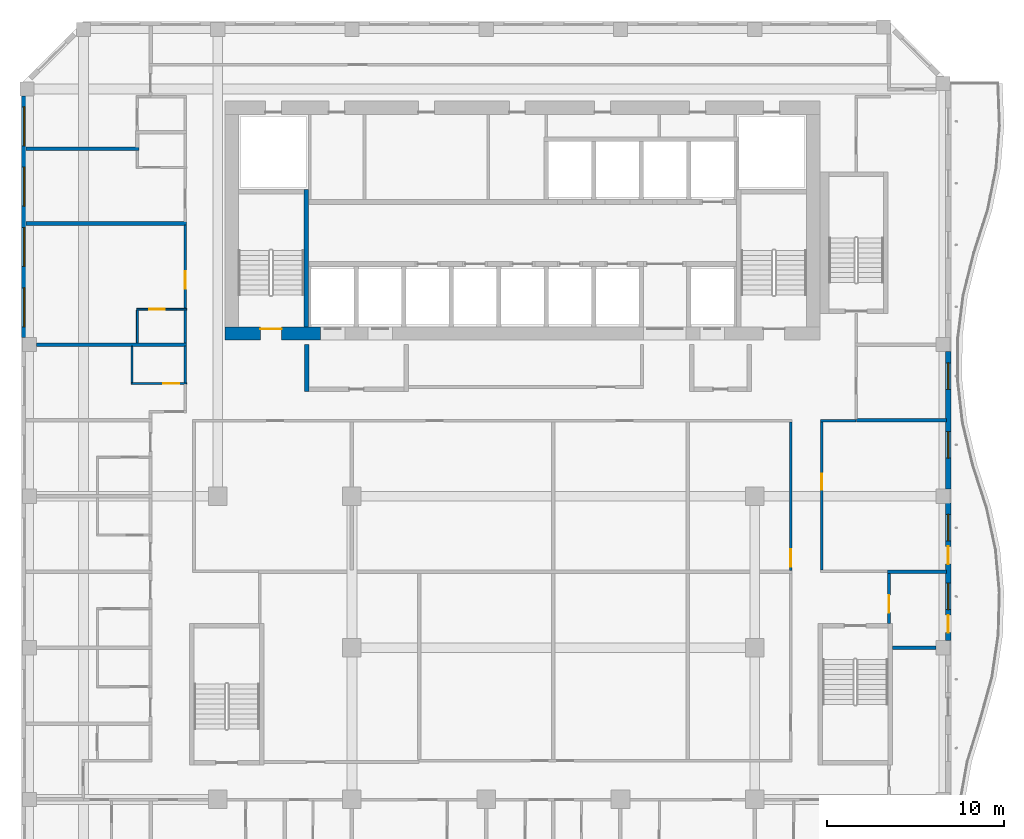
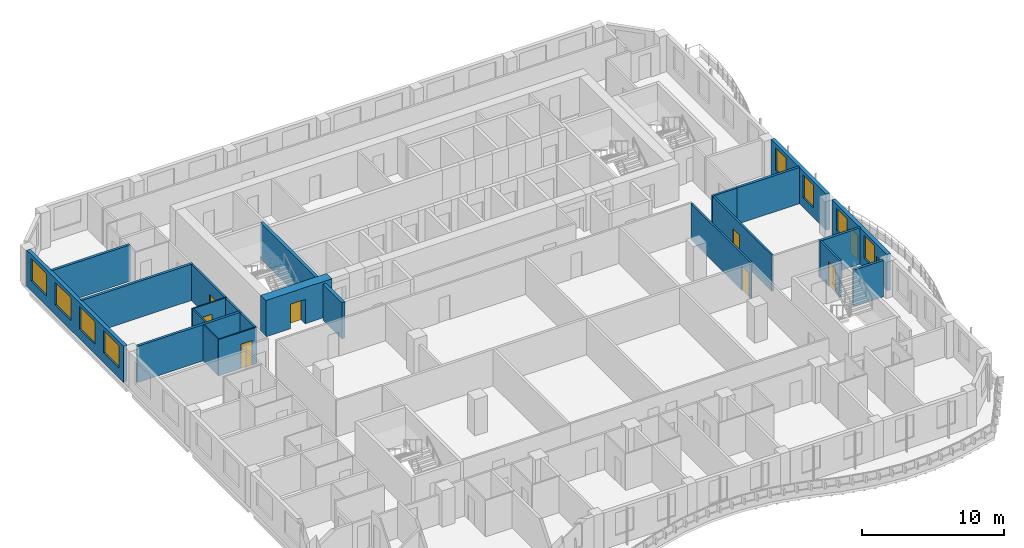
# One storey, part 6 of 21: 23 walls, 9 doors, 8 windows, 17 openings.
"""IFC4 building model written with IfcOpenShell, lengths in metres."""

from ifc_helpers import new_model, si_unit, direction, frame, frame_2d, origin, place, context, subcontext, project, spatial, rectangle, extrude, source, transform, mapped, material, layer, layer_set, type_object, element, fill, save


model = new_model("IFC4")

# Units and contexts
model_context = context("Model", 3, precision=1e-05, world=origin(), true_north=direction((0.0, 1.0)))
body_context = subcontext(model_context, "Body", "Model", "MODEL_VIEW")
ifc_project = project(units=[si_unit("LENGTHUNIT", "METRE"), si_unit("AREAUNIT", "SQUARE_METRE"), si_unit("VOLUMEUNIT", "CUBIC_METRE"), si_unit("PLANEANGLEUNIT", "RADIAN"), si_unit("MASSUNIT", "GRAM", prefix="KILO")], contexts=[model_context])

# Site, building, storey
site_placement = place(None, origin())
site = spatial("IfcSite", under=ifc_project, at=site_placement, CompositionType="ELEMENT")
building_placement = place(site_placement, origin())
building = spatial("IfcBuilding", under=site, at=building_placement, Name="Kilnfold Tower and Market Hall", CompositionType="ELEMENT")
storey_placement = place(building_placement, frame((0.0, 0.0, 185.5)))
storey = spatial("IfcBuildingStorey", under=building, at=storey_placement, Name="L44", CompositionType="ELEMENT", Elevation=185.5)

# Wall
ifc_material_1 = material(Name="Gypsum board on steel studs", Category="steel")
ifc_layer_1 = layer(ifc_material_1, 0.14990234375)
ifc_layer_set_1 = layer_set([ifc_layer_1], Name="Gypsum board on steel studs")
wall_type_1 = type_object("IfcWallType", Name="WALL CORRIDOR 150", PredefinedType="PARTITIONING", material=ifc_layer_set_1)
wall_1_placement = place(storey_placement, frame((-18.0, 5.840087890625, 0.0), z_axis=(0.0, 0.0, 1.0), x_axis=(0.0, 1.0, 0.0)))
element("IfcWall", 1, at=wall_1_placement, inside=storey, type_object=wall_type_1, Name="Partition LY27.21", PredefinedType="PARTITIONING", context=body_context, shape_type="SweptSolid", body=[
    extrude(rectangle(XDim=2.06982421875, YDim=0.14990234375, at=frame_2d((1.034912109375, 0.0))), origin(), (0.0, 0.0, 1.0), 3.1201171875),
])

# Wall, opening, door
wall_2_placement = place(storey_placement, frame((-18.0, 10.0400390625, 0.0), z_axis=(0.0, 0.0, 1.0), x_axis=(0.0, 1.0, 0.0)))
wall_2 = element("IfcWall", 2, at=wall_2_placement, inside=storey, type_object=wall_type_1, Name="Partition LY27.22", PredefinedType="PARTITIONING", context=body_context, shape_type="SweptSolid", body=[
    extrude(rectangle(XDim=4.70703125, YDim=0.14990234375, at=frame_2d((2.353515625, 0.0))), origin(), (0.0, 0.0, 1.0), 3.1201171875),
])
opening_1_placement = place(wall_2_placement, frame((1.10205078125, 0.0, 0.0)))
opening_1 = element("IfcOpeningElement", 3, at=opening_1_placement, cuts=wall_2, Name="Opening D1", PredefinedType="OPENING", context=body_context, shape_type="SweptSolid", body=[
    extrude(rectangle(XDim=1.0, YDim=2.10009765625, at=frame_2d((0.5, 1.050048828125))), frame((0.0, 0.0849609375, 0.0), z_axis=(0.0, -1.0, 0.0), x_axis=(1.0, 0.0, 0.0)), (0.0, 0.0, 1.0), 0.169921875),
])
ifc_material_2 = material(Name="Timber veneer door leaf in steel frame", Category="steel")
door_type_1 = type_object("IfcDoorType", Name="DOOR ENTRY 1000 X2100", OperationType="NOTDEFINED", PredefinedType="DOOR", material=ifc_material_2)
door_1_placement = place(opening_1_placement, origin())
door_1 = element("IfcDoor", 4, at=door_1_placement, inside=storey, type_object=door_type_1, Name="Door D1", OperationType="SINGLE_SWING_LEFT", OverallHeight=2.10009765625, OverallWidth=1.0, PredefinedType="DOOR", context=body_context, shape_type="SweptSolid", body=[
    extrude(rectangle(XDim=1.0, YDim=2.10009765625, at=frame_2d((0.5, 1.050048828125))), frame((0.0, 0.02490234375, 0.0), z_axis=(0.0, -1.0, 0.0), x_axis=(1.0, 0.0, 0.0)), (0.0, 0.0, 1.0), 0.050048828125),
])
fill(opening_1, door_1)

# Walls
wall_3_placement = place(storey_placement, frame((-18.0, 8.090087890625, 0.0), z_axis=(0.0, 0.0, 1.0), x_axis=(0.0, 1.0, 0.0)))
element("IfcWall", 5, at=wall_3_placement, inside=storey, type_object=wall_type_1, Name="Partition LY27.23", PredefinedType="PARTITIONING", context=body_context, shape_type="SweptSolid", body=[
    extrude(rectangle(XDim=1.869873046875, YDim=0.14990234375, at=frame_2d((0.93505859375, 0.0))), origin(), (0.0, 0.0, 1.0), 3.1201171875),
])
wall_4_placement = place(storey_placement, frame((17.884033203125, 3.699951171875, 0.0), z_axis=(0.0, 0.0, 1.0), x_axis=(1.0, 0.0, 0.0)))
element("IfcWall", 6, at=wall_4_placement, inside=storey, type_object=wall_type_1, Name="Partition LY27.34", PredefinedType="PARTITIONING", context=body_context, shape_type="SweptSolid", body=[
    extrude(rectangle(XDim=2.015869140625, YDim=0.14990234375, at=frame_2d((1.0078125, 0.0))), origin(), (0.0, 0.0, 1.0), 3.1201171875),
])

# Wall, opening, door
wall_5_placement = place(storey_placement, frame((17.958984375, -4.72509765625, 0.0), z_axis=(0.0, 0.0, 1.0), x_axis=(0.0, 1.0, 0.0)))
wall_5 = element("IfcWall", 7, at=wall_5_placement, inside=storey, type_object=wall_type_1, Name="Partition LY27.35", PredefinedType="PARTITIONING", context=body_context, shape_type="SweptSolid", body=[
    extrude(rectangle(XDim=8.35009765625, YDim=0.14990234375, at=frame_2d((4.175048828125, 0.0))), origin(), (0.0, 0.0, 1.0), 3.1201171875),
])
opening_2_placement = place(wall_5_placement, frame((4.531005859375, 0.0, 0.0)))
opening_2 = element("IfcOpeningElement", 8, at=opening_2_placement, cuts=wall_5, Name="Opening D2", PredefinedType="OPENING", context=body_context, shape_type="SweptSolid", body=[
    extrude(rectangle(XDim=0.89990234375, YDim=2.10009765625, at=frame_2d((0.449951171875, 1.050048828125))), frame((0.0, 0.0849609375, 0.0), z_axis=(0.0, -1.0, 0.0), x_axis=(1.0, 0.0, 0.0)), (0.0, 0.0, 1.0), 0.169921875),
])
ifc_material_3 = material(Name="Timber veneer door leaf in steel frame", Category="steel")
door_type_2 = type_object("IfcDoorType", Name="DOOR ROOM 900 X2100", OperationType="NOTDEFINED", PredefinedType="DOOR", material=ifc_material_3)
door_2_placement = place(opening_2_placement, origin())
door_2 = element("IfcDoor", 9, at=door_2_placement, inside=storey, type_object=door_type_2, Name="Door D2", OperationType="SINGLE_SWING_RIGHT", OverallHeight=2.10009765625, OverallWidth=0.89990234375, PredefinedType="DOOR", context=body_context, shape_type="SweptSolid", body=[
    extrude(rectangle(XDim=0.89990234375, YDim=2.10009765625, at=frame_2d((0.449951171875, 1.050048828125))), frame((0.0, 0.02490234375, 0.0), z_axis=(0.0, -1.0, 0.0), x_axis=(1.0, 0.0, 0.0)), (0.0, 0.0, 1.0), 0.050048828125),
])
fill(opening_2, door_2)

wall_6_placement = place(storey_placement, frame((21.75, -7.75, 0.0), z_axis=(0.0, 0.0, 1.0), x_axis=(0.0, 1.0, 0.0)))
wall_6 = element("IfcWall", 10, at=wall_6_placement, inside=storey, type_object=wall_type_1, Name="Partition LY27.37", PredefinedType="PARTITIONING", context=body_context, shape_type="SweptSolid", body=[
    extrude(rectangle(XDim=2.81689453125, YDim=0.14990234375, at=frame_2d((1.408447265625, 0.0))), origin(), (0.0, 0.0, 1.0), 3.1201171875),
])
opening_3_placement = place(wall_6_placement, frame((0.60498046875, 0.0, 0.0)))
opening_3 = element("IfcOpeningElement", 11, at=opening_3_placement, cuts=wall_6, Name="Opening D4", PredefinedType="OPENING", context=body_context, shape_type="SweptSolid", body=[
    extrude(rectangle(XDim=1.0, YDim=2.10009765625, at=frame_2d((0.5, 1.050048828125))), frame((0.0, 0.0849609375, 0.0), z_axis=(0.0, -1.0, 0.0), x_axis=(1.0, 0.0, 0.0)), (0.0, 0.0, 1.0), 0.169921875),
])
ifc_material_4 = material(Name="Timber veneer door leaf in steel frame", Category="steel")
door_type_3 = type_object("IfcDoorType", Name="DOOR SERVICE 1000 X2100", OperationType="NOTDEFINED", PredefinedType="DOOR", material=ifc_material_4)
door_3_placement = place(opening_3_placement, origin())
door_3 = element("IfcDoor", 12, at=door_3_placement, inside=storey, type_object=door_type_3, Name="Door D4", OperationType="SINGLE_SWING_LEFT", OverallHeight=2.10009765625, OverallWidth=1.0, PredefinedType="DOOR", context=body_context, shape_type="SweptSolid", body=[
    extrude(rectangle(XDim=1.0, YDim=2.10009765625, at=frame_2d((0.5, 1.050048828125))), frame((0.0, 0.02490234375, 0.0), z_axis=(0.0, -1.0, 0.0), x_axis=(1.0, 0.0, 0.0)), (0.0, 0.0, 1.0), 0.050048828125),
])
fill(opening_3, door_3)

wall_7_placement = place(storey_placement, frame((16.199951171875, -4.7529296875, 0.0), z_axis=(0.0, 0.0, 1.0), x_axis=(0.0, 1.0, 0.0)))
wall_7 = element("IfcWall", 13, at=wall_7_placement, inside=storey, type_object=wall_type_1, Name="Partition LY27.45", PredefinedType="PARTITIONING", context=body_context, shape_type="SweptSolid", body=[
    extrude(rectangle(XDim=8.3779296875, YDim=0.14990234375, at=frame_2d((4.18896484375, 0.0))), origin(), (0.0, 0.0, 1.0), 3.1201171875),
])
opening_4_placement = place(wall_7_placement, frame((0.199951171875, 0.0, 0.0)))
opening_4 = element("IfcOpeningElement", 14, at=opening_4_placement, cuts=wall_7, Name="Opening D4", PredefinedType="OPENING", context=body_context, shape_type="SweptSolid", body=[
    extrude(rectangle(XDim=1.0, YDim=2.10009765625, at=frame_2d((0.5, 1.050048828125))), frame((0.0, 0.0849609375, 0.0), z_axis=(0.0, -1.0, 0.0), x_axis=(1.0, 0.0, 0.0)), (0.0, 0.0, 1.0), 0.169921875),
])
door_4_placement = place(opening_4_placement, origin())
door_4 = element("IfcDoor", 15, at=door_4_placement, inside=storey, type_object=door_type_3, Name="Door D4", OperationType="SINGLE_SWING_RIGHT", OverallHeight=2.10009765625, OverallWidth=1.0, PredefinedType="DOOR", context=body_context, shape_type="SweptSolid", body=[
    extrude(rectangle(XDim=1.0, YDim=2.10009765625, at=frame_2d((0.5, 1.050048828125))), frame((0.0, 0.02490234375, 0.0), z_axis=(0.0, -1.0, 0.0), x_axis=(1.0, 0.0, 0.0)), (0.0, 0.0, 1.0), 0.050048828125),
])
fill(opening_4, door_4)

ifc_material_5 = material(Name="Gypsum board on steel studs", Category="steel")
ifc_layer_2 = layer(ifc_material_5, 0.10009765625)
ifc_layer_set_2 = layer_set([ifc_layer_2], Name="Gypsum board on steel studs")
wall_type_2 = type_object("IfcWallType", Name="WALL PARTITION 100", PredefinedType="PARTITIONING", material=ifc_layer_set_2)
wall_8_placement = place(storey_placement, frame((-17.927001953125, 5.800048828125, 0.0), z_axis=(0.0, 0.0, 1.0), x_axis=(-1.0, 0.0, 0.0)))
wall_8 = element("IfcWall", 16, at=wall_8_placement, inside=storey, type_object=wall_type_2, Name="Partition LY27.97", PredefinedType="PARTITIONING", context=body_context, shape_type="SweptSolid", body=[
    extrude(rectangle(XDim=3.125, YDim=0.10009765625, at=frame_2d((1.5625, 0.0))), origin(), (0.0, 0.0, 1.0), 3.1201171875),
])
opening_5_placement = place(wall_8_placement, frame((0.403076171875, 0.0, 0.0)))
opening_5 = element("IfcOpeningElement", 17, at=opening_5_placement, cuts=wall_8, Name="Opening D3", PredefinedType="OPENING", context=body_context, shape_type="SweptSolid", body=[
    extrude(rectangle(XDim=0.89990234375, YDim=2.10009765625, at=frame_2d((0.449951171875, 1.050048828125))), frame((0.0, 0.06005859375, 0.0), z_axis=(0.0, -1.0, 0.0), x_axis=(1.0, 0.0, 0.0)), (0.0, 0.0, 1.0), 0.1201171875),
])
ifc_material_6 = material(Name="Timber veneer door leaf in steel frame", Category="steel")
door_type_4 = type_object("IfcDoorType", Name="DOOR WC 900 X2100", OperationType="NOTDEFINED", PredefinedType="DOOR", material=ifc_material_6)
door_5_placement = place(opening_5_placement, origin())
door_5 = element("IfcDoor", 18, at=door_5_placement, inside=storey, type_object=door_type_4, Name="Door D3", OperationType="SINGLE_SWING_LEFT", OverallHeight=2.10009765625, OverallWidth=0.89990234375, PredefinedType="DOOR", context=body_context, shape_type="SweptSolid", body=[
    extrude(rectangle(XDim=0.89990234375, YDim=2.10009765625, at=frame_2d((0.449951171875, 1.050048828125))), frame((0.0, 0.02490234375, 0.0), z_axis=(0.0, -1.0, 0.0), x_axis=(1.0, 0.0, 0.0)), (0.0, 0.0, 1.0), 0.050048828125),
])
fill(opening_5, door_5)

# Wall
wall_9_placement = place(storey_placement, frame((-21.001953125, 5.85009765625, 0.0), z_axis=(0.0, 0.0, 1.0), x_axis=(0.0, 1.0, 0.0)))
element("IfcWall", 19, at=wall_9_placement, inside=storey, type_object=wall_type_2, Name="Partition LY27.98", PredefinedType="PARTITIONING", context=body_context, shape_type="SweptSolid", body=[
    extrude(rectangle(XDim=2.0498046875, YDim=0.10009765625, at=frame_2d((1.02490234375, 0.0))), origin(), (0.0, 0.0, 1.0), 3.1201171875),
])

# Wall, opening, door
wall_10_placement = place(storey_placement, frame((-20.751953125, 10.0, 0.0), z_axis=(0.0, 0.0, 1.0), x_axis=(1.0, 0.0, 0.0)))
wall_10 = element("IfcWall", 20, at=wall_10_placement, inside=storey, type_object=wall_type_2, Name="Partition LY27.100", PredefinedType="PARTITIONING", context=body_context, shape_type="SweptSolid", body=[
    extrude(rectangle(XDim=2.824951171875, YDim=0.10009765625, at=frame_2d((1.41259765625, 0.0))), origin(), (0.0, 0.0, 1.0), 3.1201171875),
])
opening_6_placement = place(wall_10_placement, frame((0.7080078125, 0.0, 0.0)))
opening_6 = element("IfcOpeningElement", 21, at=opening_6_placement, cuts=wall_10, Name="Opening D3", PredefinedType="OPENING", context=body_context, shape_type="SweptSolid", body=[
    extrude(rectangle(XDim=0.89990234375, YDim=2.10009765625, at=frame_2d((0.449951171875, 1.050048828125))), frame((0.0, 0.06005859375, 0.0), z_axis=(0.0, -1.0, 0.0), x_axis=(1.0, 0.0, 0.0)), (0.0, 0.0, 1.0), 0.1201171875),
])
door_6_placement = place(opening_6_placement, origin())
door_6 = element("IfcDoor", 22, at=door_6_placement, inside=storey, type_object=door_type_4, Name="Door D3", OperationType="SINGLE_SWING_RIGHT", OverallHeight=2.10009765625, OverallWidth=0.89990234375, PredefinedType="DOOR", context=body_context, shape_type="SweptSolid", body=[
    extrude(rectangle(XDim=0.89990234375, YDim=2.10009765625, at=frame_2d((0.449951171875, 1.050048828125))), frame((0.0, 0.02490234375, 0.0), z_axis=(0.0, -1.0, 0.0), x_axis=(1.0, 0.0, 0.0)), (0.0, 0.0, 1.0), 0.050048828125),
])
fill(opening_6, door_6)

# Walls
wall_11_placement = place(storey_placement, frame((-20.701904296875, 8.10009765625, 0.0), z_axis=(0.0, 0.0, 1.0), x_axis=(0.0, 1.0, 0.0)))
element("IfcWall", 23, at=wall_11_placement, inside=storey, type_object=wall_type_2, Name="Partition LY27.101", PredefinedType="PARTITIONING", context=body_context, shape_type="SweptSolid", body=[
    extrude(rectangle(XDim=1.849853515625, YDim=0.10009765625, at=frame_2d((0.9248046875, 0.0))), origin(), (0.0, 0.0, 1.0), 3.1201171875),
])
ifc_material_7 = material(Name="Gypsum board on steel studs", Category="steel")
ifc_layer_3 = layer(ifc_material_7, 0.199951171875)
ifc_layer_set_3 = layer_set([ifc_layer_3], Name="Gypsum board on steel studs")
wall_type_3 = type_object("IfcWallType", Name="WALL PARTY 200", PredefinedType="PARTITIONING", material=ifc_layer_set_3)
wall_12_placement = place(storey_placement, frame((-26.39990234375, 8.0, 0.0), z_axis=(0.0, 0.0, 1.0), x_axis=(1.0, 0.0, 0.0)))
element("IfcWall", 24, at=wall_12_placement, inside=storey, type_object=wall_type_3, Name="Partition LY27.99", PredefinedType="PARTITIONING", context=body_context, shape_type="SweptSolid", body=[
    extrude(rectangle(XDim=8.472900390625, YDim=0.199951171875, at=frame_2d((4.236328125, 0.0))), origin(), (0.0, 0.0, 1.0), 3.1201171875),
])
wall_13_placement = place(storey_placement, frame((-17.927001953125, 14.8369140625, 0.0), z_axis=(0.0, 0.0, 1.0), x_axis=(-1.0, 0.0, 0.0)))
element("IfcWall", 25, at=wall_13_placement, inside=storey, type_object=wall_type_3, Name="Partition LY27.102", PredefinedType="PARTITIONING", context=body_context, shape_type="SweptSolid", body=[
    extrude(rectangle(XDim=9.072998046875, YDim=0.199951171875, at=frame_2d((4.53662109375, 0.0))), origin(), (0.0, 0.0, 1.0), 3.1201171875),
])
wall_14_placement = place(storey_placement, frame((-20.60205078125, 19.052978515625, 0.0), z_axis=(0.0, 0.0, 1.0), x_axis=(-1.0, 0.0, 0.0)))
element("IfcWall", 26, at=wall_14_placement, inside=storey, type_object=wall_type_3, Name="Partition LY27.105", PredefinedType="PARTITIONING", context=body_context, shape_type="SweptSolid", body=[
    extrude(rectangle(XDim=6.39794921875, YDim=0.199951171875, at=frame_2d((3.198974609375, 0.0))), origin(), (0.0, 0.0, 1.0), 3.1201171875),
])
wall_15_placement = place(storey_placement, frame((19.902099609375, 3.718994140625, 0.0), z_axis=(0.0, 0.0, 1.0), x_axis=(1.0, 0.0, 0.0)))
element("IfcWall", 27, at=wall_15_placement, inside=storey, type_object=wall_type_3, Name="Partition LY27.112", PredefinedType="PARTITIONING", context=body_context, shape_type="SweptSolid", body=[
    extrude(rectangle(XDim=5.097900390625, YDim=0.199951171875, at=frame_2d((2.548828125, 0.0))), origin(), (0.0, 0.0, 1.0), 3.1201171875),
])
wall_16_placement = place(storey_placement, frame((21.677001953125, -4.843017578125, 0.0), z_axis=(0.0, 0.0, 1.0), x_axis=(1.0, 0.0, 0.0)))
element("IfcWall", 28, at=wall_16_placement, inside=storey, type_object=wall_type_3, Name="Partition LY27.115", PredefinedType="PARTITIONING", context=body_context, shape_type="SweptSolid", body=[
    extrude(rectangle(XDim=3.322998046875, YDim=0.199951171875, at=frame_2d((1.66162109375, 0.0))), origin(), (0.0, 0.0, 1.0), 3.1201171875),
])
wall_17_placement = place(storey_placement, frame((21.949951171875, -9.125, 0.0), z_axis=(0.0, 0.0, 1.0), x_axis=(1.0, 0.0, 0.0)))
element("IfcWall", 29, at=wall_17_placement, inside=storey, type_object=wall_type_3, Name="Partition LY27.116", PredefinedType="PARTITIONING", context=body_context, shape_type="SweptSolid", body=[
    extrude(rectangle(XDim=2.449951171875, YDim=0.199951171875, at=frame_2d((1.22509765625, 0.0))), origin(), (0.0, 0.0, 1.0), 3.1201171875),
])
ifc_material_8 = material(Name="Concrete C60", Category="concrete")
ifc_layer_4 = layer(ifc_material_8, 0.25)
ifc_layer_set_4 = layer_set([ifc_layer_4], Name="Concrete C60")
wall_type_4 = type_object("IfcWallType", Name="CORE WALL 250 C60", PredefinedType="SHEAR", material=ifc_layer_set_4)
shared_shape_1 = source(origin(), body_context, "Body", "SweptSolid", [
    extrude(rectangle(XDim=7.75, YDim=0.25, at=frame_2d((3.875, 0.0))), origin(), (0.0, 0.0, 1.0), 3.1201171875),
])
wall_18_placement = place(storey_placement, frame((-11.175048828125, 9.0, 0.0), z_axis=(0.0, 0.0, 1.0), x_axis=(0.0, 1.0, 0.0)))
element("IfcWall", 30, at=wall_18_placement, inside=storey, type_object=wall_type_4, Name="Stair enclosure ST1", PredefinedType="SHEAR", context=body_context, shape_type="MappedRepresentation", body=[
    mapped(shared_shape_1, transform((0.0, 0.0, 0.0))),
])

# Wall, opening, door
ifc_material_9 = material(Name="Concrete C60", Category="concrete")
ifc_layer_5 = layer(ifc_material_9, 0.75)
ifc_layer_set_5 = layer_set([ifc_layer_5], Name="Concrete C60")
wall_type_5 = type_object("IfcWallType", Name="CORE WALL 750 C60", PredefinedType="SHEAR", material=ifc_layer_set_5)
shared_shape_2 = source(origin(), body_context, "Body", "SweptSolid", [
    extrude(rectangle(XDim=5.3798828125, YDim=0.75, at=frame_2d((2.68994140625, 0.0))), origin(), (0.0, 0.0, 1.0), 3.1201171875),
])
wall_19_placement = place(storey_placement, frame((-15.75, 8.625, 0.0), z_axis=(0.0, 0.0, 1.0), x_axis=(1.0, 0.0, 0.0)))
wall_19 = element("IfcWall", 31, at=wall_19_placement, inside=storey, type_object=wall_type_5, Name="Core outer wall south", PredefinedType="SHEAR", context=body_context, shape_type="MappedRepresentation", body=[
    mapped(shared_shape_2, transform((0.0, 0.0, 0.0))),
])
opening_7_placement = place(wall_19_placement, frame((2.0, 0.0, 0.0)))
opening_7 = element("IfcOpeningElement", 32, at=opening_7_placement, cuts=wall_19, Name="Opening SD1", PredefinedType="OPENING", context=body_context, shape_type="SweptSolid", body=[
    extrude(rectangle(XDim=1.199951171875, YDim=2.10009765625, at=frame_2d((0.60009765625, 1.050048828125))), frame((0.0, 0.385009765625, 0.0), z_axis=(0.0, -1.0, 0.0), x_axis=(1.0, 0.0, 0.0)), (0.0, 0.0, 1.0), 0.77001953125),
])
ifc_material_10 = material(Name="Steel door set with fire-resisting leaf", Category="steel")
door_type_5 = type_object("IfcDoorType", Name="STAIR FLOOR DOOR 1200X2100", OperationType="NOTDEFINED", PredefinedType="DOOR", material=ifc_material_10)
door_7_placement = place(opening_7_placement, origin())
door_7 = element("IfcDoor", 33, at=door_7_placement, inside=storey, type_object=door_type_5, Name="Exit stair ST1 door", OperationType="DOUBLE_DOOR_SINGLE_SWING", OverallHeight=2.10009765625, OverallWidth=1.199951171875, PredefinedType="DOOR", context=body_context, shape_type="SweptSolid", body=[
    extrude(rectangle(XDim=1.199951171875, YDim=2.10009765625, at=frame_2d((0.60009765625, 1.050048828125))), frame((0.0, 0.27978515625, 0.0), z_axis=(0.0, -1.0, 0.0), x_axis=(1.0, 0.0, 0.0)), (0.0, 0.0, 1.0), 0.050048828125),
])
fill(opening_7, door_7)

# Wall, openings, doors, windows
ifc_material_11 = material(Name="Precast concrete C50/60", Category="concrete")
ifc_layer_6 = layer(ifc_material_11, 0.300048828125)
ifc_layer_set_6 = layer_set([ifc_layer_6], Name="Precast concrete C50/60")
wall_type_6 = type_object("IfcWallType", Name="PRECAST WALL 300", PredefinedType="SOLIDWALL", material=ifc_layer_set_6)
shared_shape_3 = source(origin(), body_context, "Body", "SweptSolid", [
    extrude(rectangle(XDim=7.7626953125, YDim=0.300048828125, at=frame_2d((3.88134765625, 0.0))), origin(), (0.0, 0.0, 1.0), 3.1201171875),
])
wall_20_placement = place(storey_placement, frame((25.10009765625, -8.72509765625, 0.0), z_axis=(0.0, 0.0, 1.0), x_axis=(0.0, 1.0, 0.0)))
wall_20 = element("IfcWall", 34, at=wall_20_placement, inside=storey, type_object=wall_type_6, Name="External wall L44 E", PredefinedType="SOLIDWALL", context=body_context, shape_type="MappedRepresentation", body=[
    mapped(shared_shape_3, transform((0.0, 0.0, 0.0))),
])
opening_8_placement = place(wall_20_placement, frame((1.75, 0.0, 0.85009765625)))
opening_8 = element("IfcOpeningElement", 35, at=opening_8_placement, cuts=wall_20, Name="Opening W4", PredefinedType="OPENING", context=body_context, shape_type="SweptSolid", body=[
    extrude(rectangle(XDim=1.5, YDim=1.949951171875, at=frame_2d((0.75, 0.97509765625))), frame((0.0, 0.16015625, 0.0), z_axis=(0.0, -1.0, 0.0), x_axis=(1.0, 0.0, 0.0)), (0.0, 0.0, 1.0), 0.320068359375),
])
opening_9_placement = place(wall_20_placement, frame((0.449951171875, 0.0, 0.0)))
opening_9 = element("IfcOpeningElement", 36, at=opening_9_placement, cuts=wall_20, Name="Opening BD1", PredefinedType="OPENING", context=body_context, shape_type="SweptSolid", body=[
    extrude(rectangle(XDim=1.0, YDim=2.10009765625, at=frame_2d((0.5, 1.050048828125))), frame((0.0, 0.16015625, 0.0), z_axis=(0.0, -1.0, 0.0), x_axis=(1.0, 0.0, 0.0)), (0.0, 0.0, 1.0), 0.320068359375),
])
opening_10_placement = place(wall_20_placement, frame((5.631103515625, 0.0, 0.85009765625)))
opening_10 = element("IfcOpeningElement", 37, at=opening_10_placement, cuts=wall_20, Name="Opening W4", PredefinedType="OPENING", context=body_context, shape_type="SweptSolid", body=[
    extrude(rectangle(XDim=1.5, YDim=1.949951171875, at=frame_2d((0.75, 0.97509765625))), frame((0.0, 0.16015625, 0.0), z_axis=(0.0, -1.0, 0.0), x_axis=(1.0, 0.0, 0.0)), (0.0, 0.0, 1.0), 0.320068359375),
])
opening_11_placement = place(wall_20_placement, frame((4.331298828125, 0.0, 0.0)))
opening_11 = element("IfcOpeningElement", 38, at=opening_11_placement, cuts=wall_20, Name="Opening BD1", PredefinedType="OPENING", context=body_context, shape_type="SweptSolid", body=[
    extrude(rectangle(XDim=1.0, YDim=2.10009765625, at=frame_2d((0.5, 1.050048828125))), frame((0.0, 0.16015625, 0.0), z_axis=(0.0, -1.0, 0.0), x_axis=(1.0, 0.0, 0.0)), (0.0, 0.0, 1.0), 0.320068359375),
])
ifc_material_12 = material(Name="Aluminium frame and double glazing", Category="aluminium")
door_type_6 = type_object("IfcDoorType", Name="BALCONY DOOR 1000X2100", OperationType="NOTDEFINED", PredefinedType="DOOR", material=ifc_material_12)
door_8_placement = place(opening_9_placement, origin())
door_8 = element("IfcDoor", 39, at=door_8_placement, inside=storey, type_object=door_type_6, Name="Balcony door BD1 L44 E-1", OperationType="SINGLE_SWING_LEFT", OverallHeight=2.10009765625, OverallWidth=1.0, PredefinedType="DOOR", context=body_context, shape_type="SweptSolid", body=[
    extrude(rectangle(XDim=1.0, YDim=2.10009765625, at=frame_2d((0.5, 1.050048828125))), frame((0.0, 0.02490234375, 0.0), z_axis=(0.0, -1.0, 0.0), x_axis=(1.0, 0.0, 0.0)), (0.0, 0.0, 1.0), 0.050048828125),
])
fill(opening_9, door_8)
door_9_placement = place(opening_11_placement, origin())
door_9 = element("IfcDoor", 40, at=door_9_placement, inside=storey, type_object=door_type_6, Name="Balcony door BD1 L44 E-2", OperationType="SINGLE_SWING_RIGHT", OverallHeight=2.10009765625, OverallWidth=1.0, PredefinedType="DOOR", context=body_context, shape_type="SweptSolid", body=[
    extrude(rectangle(XDim=1.0, YDim=2.10009765625, at=frame_2d((0.5, 1.050048828125))), frame((0.0, 0.02490234375, 0.0), z_axis=(0.0, -1.0, 0.0), x_axis=(1.0, 0.0, 0.0)), (0.0, 0.0, 1.0), 0.050048828125),
])
fill(opening_11, door_9)
ifc_material_13 = material(Name="Aluminium frame and double glazing", Category="aluminium")
window_type_1 = type_object("IfcWindowType", Name="WINDOW W4 1500X1950", PartitioningType="SINGLE_PANEL", PredefinedType="WINDOW", material=ifc_material_13)
window_1_placement = place(opening_8_placement, origin())
window_1 = element("IfcWindow", 41, at=window_1_placement, inside=storey, type_object=window_type_1, Name="Window W4 L44 E-1", OverallHeight=1.949951171875, OverallWidth=1.5, PartitioningType="SINGLE_PANEL", PredefinedType="WINDOW", context=body_context, shape_type="SweptSolid", body=[
    extrude(rectangle(XDim=1.5, YDim=1.949951171875, at=frame_2d((0.75, 0.97509765625))), frame((0.0, 0.030029296875, 0.0), z_axis=(0.0, -1.0, 0.0), x_axis=(1.0, 0.0, 0.0)), (0.0, 0.0, 1.0), 0.06005859375),
])
fill(opening_8, window_1)
window_2_placement = place(opening_10_placement, origin())
window_2 = element("IfcWindow", 42, at=window_2_placement, inside=storey, type_object=window_type_1, Name="Window W4 L44 E-2", OverallHeight=1.949951171875, OverallWidth=1.5, PartitioningType="SINGLE_PANEL", PredefinedType="WINDOW", context=body_context, shape_type="SweptSolid", body=[
    extrude(rectangle(XDim=1.5, YDim=1.949951171875, at=frame_2d((0.75, 0.97509765625))), frame((0.0, 0.030029296875, 0.0), z_axis=(0.0, -1.0, 0.0), x_axis=(1.0, 0.0, 0.0)), (0.0, 0.0, 1.0), 0.06005859375),
])
fill(opening_10, window_2)

# Wall, openings, windows
wall_21_placement = place(storey_placement, frame((25.10009765625, -0.16259765625, 0.0), z_axis=(0.0, 0.0, 1.0), x_axis=(0.0, 1.0, 0.0)))
wall_21 = element("IfcWall", 43, at=wall_21_placement, inside=storey, type_object=wall_type_6, Name="External wall L44 E", PredefinedType="SOLIDWALL", context=body_context, shape_type="MappedRepresentation", body=[
    mapped(shared_shape_3, transform((0.0, 0.0, 0.0))),
])
opening_12_placement = place(wall_21_placement, frame((1.75, 0.0, 0.85009765625)))
opening_12 = element("IfcOpeningElement", 44, at=opening_12_placement, cuts=wall_21, Name="Opening W4", PredefinedType="OPENING", context=body_context, shape_type="SweptSolid", body=[
    extrude(rectangle(XDim=1.5, YDim=1.949951171875, at=frame_2d((0.75, 0.97509765625))), frame((0.0, 0.16015625, 0.0), z_axis=(0.0, -1.0, 0.0), x_axis=(1.0, 0.0, 0.0)), (0.0, 0.0, 1.0), 0.320068359375),
])
opening_13_placement = place(wall_21_placement, frame((5.63134765625, 0.0, 0.85009765625)))
opening_13 = element("IfcOpeningElement", 45, at=opening_13_placement, cuts=wall_21, Name="Opening W4", PredefinedType="OPENING", context=body_context, shape_type="SweptSolid", body=[
    extrude(rectangle(XDim=1.5, YDim=1.949951171875, at=frame_2d((0.75, 0.97509765625))), frame((0.0, 0.16015625, 0.0), z_axis=(0.0, -1.0, 0.0), x_axis=(1.0, 0.0, 0.0)), (0.0, 0.0, 1.0), 0.320068359375),
])
window_3_placement = place(opening_12_placement, origin())
window_3 = element("IfcWindow", 46, at=window_3_placement, inside=storey, type_object=window_type_1, Name="Window W4 L44 E-1", OverallHeight=1.949951171875, OverallWidth=1.5, PartitioningType="SINGLE_PANEL", PredefinedType="WINDOW", context=body_context, shape_type="SweptSolid", body=[
    extrude(rectangle(XDim=1.5, YDim=1.949951171875, at=frame_2d((0.75, 0.97509765625))), frame((0.0, 0.030029296875, 0.0), z_axis=(0.0, -1.0, 0.0), x_axis=(1.0, 0.0, 0.0)), (0.0, 0.0, 1.0), 0.06005859375),
])
fill(opening_12, window_3)
window_4_placement = place(opening_13_placement, origin())
window_4 = element("IfcWindow", 47, at=window_4_placement, inside=storey, type_object=window_type_1, Name="Window W4 L44 E-2", OverallHeight=1.949951171875, OverallWidth=1.5, PartitioningType="SINGLE_PANEL", PredefinedType="WINDOW", context=body_context, shape_type="SweptSolid", body=[
    extrude(rectangle(XDim=1.5, YDim=1.949951171875, at=frame_2d((0.75, 0.97509765625))), frame((0.0, 0.030029296875, 0.0), z_axis=(0.0, -1.0, 0.0), x_axis=(1.0, 0.0, 0.0)), (0.0, 0.0, 1.0), 0.06005859375),
])
fill(opening_13, window_4)

shared_shape_4 = source(origin(), body_context, "Body", "SweptSolid", [
    extrude(rectangle(XDim=13.6318359375, YDim=0.300048828125, at=frame_2d((6.81591796875, 0.0))), origin(), (0.0, 0.0, 1.0), 3.1201171875),
])
wall_22_placement = place(storey_placement, frame((-27.10009765625, 22.03173828125, 0.0), z_axis=(0.0, 0.0, 1.0), x_axis=(0.0, -1.0, 0.0)))
wall_22 = element("IfcWall", 48, at=wall_22_placement, inside=storey, type_object=wall_type_6, Name="External wall L44 W", PredefinedType="SOLIDWALL", context=body_context, shape_type="MappedRepresentation", body=[
    mapped(shared_shape_4, transform((0.0, 0.0, 0.0))),
])
opening_14_placement = place(wall_22_placement, frame((0.60400390625, 0.0, 0.85009765625)))
opening_14 = element("IfcOpeningElement", 49, at=opening_14_placement, cuts=wall_22, Name="Opening W2", PredefinedType="OPENING", context=body_context, shape_type="SweptSolid", body=[
    extrude(rectangle(XDim=2.199951171875, YDim=1.949951171875, at=frame_2d((1.10009765625, 0.97509765625))), frame((0.0, 0.16015625, 0.0), z_axis=(0.0, -1.0, 0.0), x_axis=(1.0, 0.0, 0.0)), (0.0, 0.0, 1.0), 0.320068359375),
])
opening_15_placement = place(wall_22_placement, frame((4.011962890625, 0.0, 0.85009765625)))
opening_15 = element("IfcOpeningElement", 50, at=opening_15_placement, cuts=wall_22, Name="Opening W2", PredefinedType="OPENING", context=body_context, shape_type="SweptSolid", body=[
    extrude(rectangle(XDim=2.199951171875, YDim=1.949951171875, at=frame_2d((1.10009765625, 0.97509765625))), frame((0.0, 0.16015625, 0.0), z_axis=(0.0, -1.0, 0.0), x_axis=(1.0, 0.0, 0.0)), (0.0, 0.0, 1.0), 0.320068359375),
])
opening_16_placement = place(wall_22_placement, frame((7.419921875, 0.0, 0.85009765625)))
opening_16 = element("IfcOpeningElement", 51, at=opening_16_placement, cuts=wall_22, Name="Opening W2", PredefinedType="OPENING", context=body_context, shape_type="SweptSolid", body=[
    extrude(rectangle(XDim=2.199951171875, YDim=1.949951171875, at=frame_2d((1.10009765625, 0.97509765625))), frame((0.0, 0.16015625, 0.0), z_axis=(0.0, -1.0, 0.0), x_axis=(1.0, 0.0, 0.0)), (0.0, 0.0, 1.0), 0.320068359375),
])
opening_17_placement = place(wall_22_placement, frame((10.827880859375, 0.0, 0.85009765625)))
opening_17 = element("IfcOpeningElement", 52, at=opening_17_placement, cuts=wall_22, Name="Opening W2", PredefinedType="OPENING", context=body_context, shape_type="SweptSolid", body=[
    extrude(rectangle(XDim=2.199951171875, YDim=1.949951171875, at=frame_2d((1.10009765625, 0.97509765625))), frame((0.0, 0.16015625, 0.0), z_axis=(0.0, -1.0, 0.0), x_axis=(1.0, 0.0, 0.0)), (0.0, 0.0, 1.0), 0.320068359375),
])
ifc_material_14 = material(Name="Aluminium frame and double glazing", Category="aluminium")
window_type_2 = type_object("IfcWindowType", Name="WINDOW W2 2200X1950", PartitioningType="SINGLE_PANEL", PredefinedType="WINDOW", material=ifc_material_14)
window_5_placement = place(opening_14_placement, origin())
window_5 = element("IfcWindow", 53, at=window_5_placement, inside=storey, type_object=window_type_2, Name="Window W2 L44 W-1", OverallHeight=1.949951171875, OverallWidth=2.199951171875, PartitioningType="SINGLE_PANEL", PredefinedType="WINDOW", context=body_context, shape_type="SweptSolid", body=[
    extrude(rectangle(XDim=2.199951171875, YDim=1.949951171875, at=frame_2d((1.10009765625, 0.97509765625))), frame((0.0, 0.030029296875, 0.0), z_axis=(0.0, -1.0, 0.0), x_axis=(1.0, 0.0, 0.0)), (0.0, 0.0, 1.0), 0.06005859375),
])
fill(opening_14, window_5)
window_6_placement = place(opening_15_placement, origin())
window_6 = element("IfcWindow", 54, at=window_6_placement, inside=storey, type_object=window_type_2, Name="Window W2 L44 W-2", OverallHeight=1.949951171875, OverallWidth=2.199951171875, PartitioningType="SINGLE_PANEL", PredefinedType="WINDOW", context=body_context, shape_type="SweptSolid", body=[
    extrude(rectangle(XDim=2.199951171875, YDim=1.949951171875, at=frame_2d((1.10009765625, 0.97509765625))), frame((0.0, 0.030029296875, 0.0), z_axis=(0.0, -1.0, 0.0), x_axis=(1.0, 0.0, 0.0)), (0.0, 0.0, 1.0), 0.06005859375),
])
fill(opening_15, window_6)
window_7_placement = place(opening_16_placement, origin())
window_7 = element("IfcWindow", 55, at=window_7_placement, inside=storey, type_object=window_type_2, Name="Window W2 L44 W-3", OverallHeight=1.949951171875, OverallWidth=2.199951171875, PartitioningType="SINGLE_PANEL", PredefinedType="WINDOW", context=body_context, shape_type="SweptSolid", body=[
    extrude(rectangle(XDim=2.199951171875, YDim=1.949951171875, at=frame_2d((1.10009765625, 0.97509765625))), frame((0.0, 0.030029296875, 0.0), z_axis=(0.0, -1.0, 0.0), x_axis=(1.0, 0.0, 0.0)), (0.0, 0.0, 1.0), 0.06005859375),
])
fill(opening_16, window_7)
window_8_placement = place(opening_17_placement, origin())
window_8 = element("IfcWindow", 56, at=window_8_placement, inside=storey, type_object=window_type_2, Name="Window W2 L44 W-4", OverallHeight=1.949951171875, OverallWidth=2.199951171875, PartitioningType="SINGLE_PANEL", PredefinedType="WINDOW", context=body_context, shape_type="SweptSolid", body=[
    extrude(rectangle(XDim=2.199951171875, YDim=1.949951171875, at=frame_2d((1.10009765625, 0.97509765625))), frame((0.0, 0.030029296875, 0.0), z_axis=(0.0, -1.0, 0.0), x_axis=(1.0, 0.0, 0.0)), (0.0, 0.0, 1.0), 0.06005859375),
])
fill(opening_17, window_8)

# Wall
ifc_material_15 = material(Name="Gypsum shaft wall system")
ifc_layer_7 = layer(ifc_material_15, 0.25)
ifc_layer_set_7 = layer_set([ifc_layer_7], Name="Gypsum shaft wall system")
wall_type_7 = type_object("IfcWallType", Name="LOBBY WALL 250", PredefinedType="PARTITIONING", material=ifc_layer_set_7)
shared_shape_5 = source(origin(), body_context, "Body", "SweptSolid", [
    extrude(rectangle(XDim=2.64990234375, YDim=0.25, at=frame_2d((1.324951171875, 0.0))), origin(), (0.0, 0.0, 1.0), 3.1201171875),
])
wall_23_placement = place(storey_placement, frame((-11.135009765625, 5.35009765625, 0.0), z_axis=(0.0, 0.0, 1.0), x_axis=(0.0, 1.0, 0.0)))
element("IfcWall", 57, at=wall_23_placement, inside=storey, type_object=wall_type_7, Name="Firefighting lobby wall", PredefinedType="PARTITIONING", context=body_context, shape_type="MappedRepresentation", body=[
    mapped(shared_shape_5, transform((0.0, 0.0, 0.0))),
])

save(model, "model.ifc")
